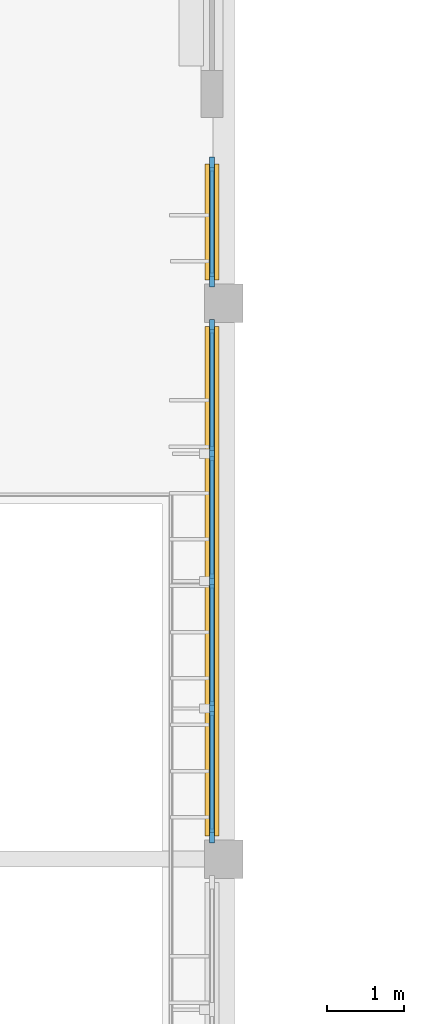
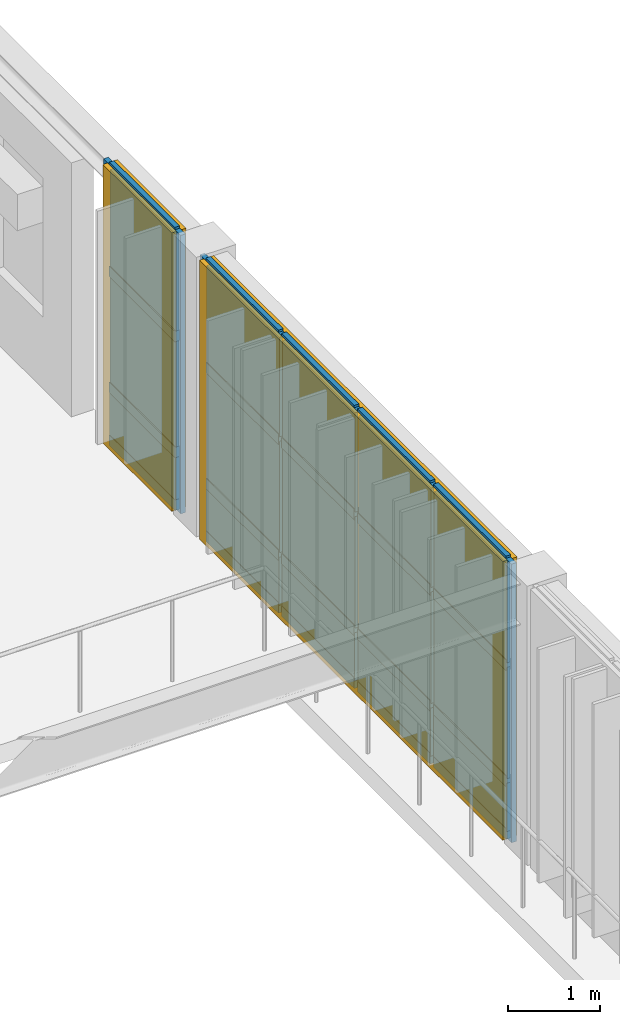
# One storey, part 32 of 44: 27 members, 15 plates, 2 curtain walls.
"""IFC4 building model written with IfcOpenShell, lengths in metres."""

import ifcopenshell
import ifcopenshell.guid

model = None  # the IFC model being written
_history = None  # IfcOwnerHistory: only IFC2X3 demands one
_inside = {}  # id of a spatial element -> (the spatial element, [elements in it])
_under = {}  # id of a project, library or spatial element -> (it, [spatial elements below it])
_declared = {}  # id of a project -> (the project, [libraries it declares])
_typed = {}  # id of a type object -> (the type object, [elements of that type])
_made_of = {}  # id of a material, layer set ... -> (it, [elements and type objects made of it])


def new_model(schema):
    """Start an empty IFC model of exactly this schema.

    Asked for "IFC4X3", IfcOpenShell would pick the latest addendum, in which some entities
    have other attributes; the version numbers below select the first issue.
    IFC2X3 requires an IfcOwnerHistory on every rooted entity: one is made here for all.
    """
    global model, _history
    if schema == "IFC4X3":
        model = ifcopenshell.file(schema_version=(4, 3, 0, 0))
    else:
        model = ifcopenshell.file(schema=schema)
    _inside.clear()
    _under.clear()
    _declared.clear()
    _typed.clear()
    _made_of.clear()
    _history = None
    if model.schema == "IFC2X3":
        org = make("IfcOrganization", Name="unknown")
        user = make(
            "IfcPersonAndOrganization",
            ThePerson=make("IfcPerson", FamilyName="unknown"),
            TheOrganization=org,
        )
        app = make(
            "IfcApplication",
            ApplicationDeveloper=org,
            Version="unknown",
            ApplicationFullName="unknown",
            ApplicationIdentifier="unknown",
        )
        _history = make(
            "IfcOwnerHistory",
            OwningUser=user,
            OwningApplication=app,
            ChangeAction="ADDED",
            CreationDate=0,
        )
    return model


def make(cls, **values):
    """One entity of the class cls with the attributes given. An attribute that is None is left unset."""
    return model.create_entity(
        cls, **{name: value for name, value in values.items() if value is not None}
    )


def rooted(cls, **values):
    """An entity with a GlobalId (a new one), such as an element, a storey or a relation."""
    return make(cls, GlobalId=ifcopenshell.guid.new(), OwnerHistory=_history, **values)


def si_unit(unit_type, name, prefix=None):
    """IfcSIUnit, for example si_unit("LENGTHUNIT", "METRE", prefix="MILLI")."""
    return make("IfcSIUnit", UnitType=unit_type, Prefix=prefix, Name=name)


def assignment(units):
    """IfcUnitAssignment: the units of a project."""
    return None if units is None else make("IfcUnitAssignment", Units=units)


def point(xyz):
    """IfcCartesianPoint."""
    return None if xyz is None else make("IfcCartesianPoint", Coordinates=xyz)


def direction(xyz):
    """IfcDirection."""
    return None if xyz is None else make("IfcDirection", DirectionRatios=xyz)


def frame(location, z_axis=None, x_axis=None):
    """IfcAxis2Placement3D, a coordinate frame: its origin and axes. An axis left out is left unset."""
    return make(
        "IfcAxis2Placement3D",
        Location=point(location),
        Axis=direction(z_axis),
        RefDirection=direction(x_axis),
    )


def frame_2d(location, x_axis=None):
    """IfcAxis2Placement2D, a coordinate frame in the plane: its origin and x axis."""
    return make(
        "IfcAxis2Placement2D", Location=point(location), RefDirection=direction(x_axis)
    )


def origin():
    """The frame at (0, 0, 0) with its axes left unset."""
    return frame((0.0, 0.0, 0.0))


def origin_2d():
    """The frame at (0, 0) in the plane with its x axis left unset."""
    return frame_2d((0.0, 0.0))


def place(relative_to, where):
    """IfcLocalPlacement: puts the frame where relative to a parent placement (None: the world)."""
    return make(
        "IfcLocalPlacement", PlacementRelTo=relative_to, RelativePlacement=where
    )


def context(
    kind, dimensions, precision=None, world=None, true_north=None, identifier=None
):
    """IfcGeometricRepresentationContext, for example the 3D "Model" context."""
    return make(
        "IfcGeometricRepresentationContext",
        ContextIdentifier=identifier,
        ContextType=kind,
        CoordinateSpaceDimension=dimensions,
        Precision=precision,
        WorldCoordinateSystem=world,
        TrueNorth=true_north,
    )


def subcontext(parent, identifier, kind, view, scale=None):
    """IfcGeometricRepresentationSubContext, for example "Body" below "Model"."""
    return make(
        "IfcGeometricRepresentationSubContext",
        ContextIdentifier=identifier,
        ContextType=kind,
        ParentContext=parent,
        TargetScale=scale,
        TargetView=view,
    )


def project(units=None, contexts=None):
    """IfcProject with its units and contexts."""
    return rooted(
        "IfcProject",
        Name="project",
        RepresentationContexts=contexts,
        UnitsInContext=assignment(units),
    )


def spatial(cls, under=None, at=None, **own):
    """A site, building, storey or space (cls), placed at a placement, below another one or the project."""
    s = rooted(cls, ObjectPlacement=at, **own)
    if under is not None:
        _under.setdefault(under.id(), (under, []))[1].append(s)
    return s


def profile(cls, at=None, kind="AREA", **sizes):
    """A parametric profile (cls). Its sizes go by their IFC names, for example OverallWidth=200.0."""
    return make(cls, ProfileType=kind, Position=at, **sizes)


def rectangle(**sizes):
    """IfcRectangleProfileDef."""
    return profile("IfcRectangleProfileDef", **sizes)


def extrude(swept, where, along, depth):
    """IfcExtrudedAreaSolid: the profile swept, set in the frame where, extruded along a direction by depth."""
    return make(
        "IfcExtrudedAreaSolid",
        SweptArea=swept,
        Position=where,
        ExtrudedDirection=direction(along),
        Depth=depth,
    )


def shape(context_of_items, identifier, shape_type, items):
    """IfcShapeRepresentation: the items that make up one representation, for example the "Body"."""
    return make(
        "IfcShapeRepresentation",
        ContextOfItems=context_of_items,
        RepresentationIdentifier=identifier,
        RepresentationType=shape_type,
        Items=items,
    )


def material(Name=None, Category=None):
    """IfcMaterial."""
    return make("IfcMaterial", Name=Name, Category=Category)


def layer(
    of_material, thickness, ventilated=None, Name=None, Category=None, Priority=None
):
    """IfcMaterialLayer: one layer of a wall or slab, of a material (None: an air gap)."""
    return make(
        "IfcMaterialLayer",
        Material=of_material,
        LayerThickness=thickness,
        IsVentilated=ventilated,
        Name=Name,
        Category=Category,
        Priority=Priority,
    )


def layer_set(layers, Name=None):
    """IfcMaterialLayerSet."""
    return make("IfcMaterialLayerSet", MaterialLayers=layers, LayerSetName=Name)


def material_profile(
    of_material, cross_section, Name=None, Category=None, Priority=None
):
    """IfcMaterialProfile: a cross section and its material."""
    return make(
        "IfcMaterialProfile",
        Name=Name,
        Material=of_material,
        Profile=cross_section,
        Priority=Priority,
        Category=Category,
    )


def profile_set(profiles, Name=None, composite=None):
    """IfcMaterialProfileSet."""
    return make(
        "IfcMaterialProfileSet",
        Name=Name,
        MaterialProfiles=profiles,
        CompositeProfile=composite,
    )


def made_of(thing, what):
    """Note that an element or type object is made of a material, layer set ...; save() writes the relation."""
    if what is not None:
        _made_of.setdefault(what.id(), (what, []))[1].append(thing)
    return thing


def type_object(cls, material=None, **own):
    """A type object (cls), such as IfcWallType, which elements share."""
    return made_of(rooted(cls, **own), material)


def element(
    cls,
    number,
    at=None,
    inside=None,
    cuts=None,
    type_object=None,
    material=None,
    context=None,
    identifier="Body",
    shape_type=None,
    held_by="IfcProductDefinitionShape",
    body=None,
    shapes=None,
    **own,
):
    """One element of the class cls, such as IfcWall. Its Tag is "e" and its number.

    at: its placement. inside: the storey or other place that contains it. cuts: it is an
    opening in that element (IfcRelVoidsElement). A single representation is given by context,
    identifier, shape_type and body (its items); several are given by shapes. held_by: the class
    of the entity that holds the representations. save() writes the other relations.
    """
    e = rooted(cls, Tag="e%d" % number, ObjectPlacement=at, **own)
    if body is not None:
        shapes = [shape(context, identifier, shape_type, body)]
    if shapes is not None:
        e.Representation = make(held_by, Representations=shapes)
    if inside is not None:
        _inside.setdefault(inside.id(), (inside, []))[1].append(e)
    if cuts is not None:
        rooted(
            "IfcRelVoidsElement", RelatingBuildingElement=cuts, RelatedOpeningElement=e
        )
    if type_object is not None:
        _typed.setdefault(type_object.id(), (type_object, []))[1].append(e)
    return made_of(e, material)


def aggregate(whole, parts):
    """IfcRelAggregates: a whole, such as a stair, and the parts it consists of."""
    return rooted("IfcRelAggregates", RelatingObject=whole, RelatedObjects=parts)


def save(model, path):
    """Write the relations noted so far, then the file.

    IfcRelAggregates (storeys below a building ...), IfcRelContainedInSpatialStructure (elements
    in a storey), IfcRelDefinesByType, IfcRelAssociatesMaterial and IfcRelDeclares: one each for
    every whole, place, type object, material and project.
    """
    for whole, parts in _under.values():
        aggregate(whole, parts)
    for where, things in _inside.values():
        rooted(
            "IfcRelContainedInSpatialStructure",
            RelatedElements=things,
            RelatingStructure=where,
        )
    for kind, things in _typed.values():
        rooted("IfcRelDefinesByType", RelatedObjects=things, RelatingType=kind)
    for what, things in _made_of.values():
        rooted("IfcRelAssociatesMaterial", RelatedObjects=things, RelatingMaterial=what)
    for by, libraries in _declared.values():
        rooted("IfcRelDeclares", RelatingContext=by, RelatedDefinitions=libraries)
    model.write(path)


model = new_model("IFC4")

# Units and contexts
model_context = context("Model", 3, precision=1e-05, world=origin(), true_north=direction((0.0, 1.0)))
body_context = subcontext(model_context, "Body", "Model", "MODEL_VIEW")
ifc_project = project(units=[si_unit("LENGTHUNIT", "METRE"), si_unit("AREAUNIT", "SQUARE_METRE"), si_unit("VOLUMEUNIT", "CUBIC_METRE"), si_unit("PLANEANGLEUNIT", "RADIAN"), si_unit("MASSUNIT", "GRAM", prefix="KILO")], contexts=[model_context])

# Member
ifc_material_1 = material(Name="Anodised Bronze Aluminium 6063-T6", Category="aluminium")
ifc_material_profile_1 = material_profile(ifc_material_1, rectangle(XDim=0.06005859375, YDim=0.179931640625, at=origin_2d()), Name="ALU MULLION 60x180")
ifc_profile_set_1 = profile_set([ifc_material_profile_1], Name="Anodised Bronze Aluminium 6063-T6")
member_type_1 = type_object("IfcMemberType", Name="Curtain-Wall Primary Mullion 60x180", PredefinedType="MULLION", material=ifc_profile_set_1)
site_placement = place(None, origin())
building_placement = place(site_placement, origin())
storey_placement = place(building_placement, frame((0.0, 0.0, 13.199951171875)))
member_1_placement = place(storey_placement, frame((27.449951171875, 59.300048828125, 0.0), z_axis=(0.0, 0.0, 1.0), x_axis=(1.0, 0.0, 0.0)))
member_1 = element("IfcMember", 1, at=member_1_placement, type_object=member_type_1, Name="Mullion CWM-01 CW-V6-E1-L03-B2-M01", PredefinedType="MULLION", context=body_context, shape_type="SweptSolid", body=[
    extrude(rectangle(XDim=0.06005859375, YDim=0.179931640625, at=origin_2d()), origin(), (0.0, 0.0, 1.0), 3.699951171875),
])

member_2_placement = place(storey_placement, frame((27.449951171875, 60.949951171875, 0.0), z_axis=(0.0, 0.0, 1.0), x_axis=(1.0, 0.0, 0.0)))
member_2 = element("IfcMember", 2, at=member_2_placement, type_object=member_type_1, Name="Mullion CWM-01 CW-V6-E1-L03-B2-M02", PredefinedType="MULLION", context=body_context, shape_type="SweptSolid", body=[
    extrude(rectangle(XDim=0.06005859375, YDim=0.179931640625, at=origin_2d()), origin(), (0.0, 0.0, 1.0), 3.699951171875),
])

member_3_placement = place(storey_placement, frame((27.449951171875, 62.60009765625, 0.0), z_axis=(0.0, 0.0, 1.0), x_axis=(1.0, 0.0, 0.0)))
member_3 = element("IfcMember", 3, at=member_3_placement, type_object=member_type_1, Name="Mullion CWM-01 CW-V6-E1-L03-B2-M03", PredefinedType="MULLION", context=body_context, shape_type="SweptSolid", body=[
    extrude(rectangle(XDim=0.06005859375, YDim=0.179931640625, at=origin_2d()), origin(), (0.0, 0.0, 1.0), 3.699951171875),
])

member_4_placement = place(storey_placement, frame((27.449951171875, 64.25, 0.0), z_axis=(0.0, 0.0, 1.0), x_axis=(1.0, 0.0, 0.0)))
member_4 = element("IfcMember", 4, at=member_4_placement, type_object=member_type_1, Name="Mullion CWM-01 CW-V6-E1-L03-B2-M04", PredefinedType="MULLION", context=body_context, shape_type="SweptSolid", body=[
    extrude(rectangle(XDim=0.06005859375, YDim=0.179931640625, at=origin_2d()), origin(), (0.0, 0.0, 1.0), 3.699951171875),
])

member_5_placement = place(storey_placement, frame((27.449951171875, 65.89990234375, 0.0), z_axis=(0.0, 0.0, 1.0), x_axis=(1.0, 0.0, 0.0)))
member_5 = element("IfcMember", 5, at=member_5_placement, type_object=member_type_1, Name="Mullion CWM-01 CW-V6-E1-L03-B2-M05", PredefinedType="MULLION", context=body_context, shape_type="SweptSolid", body=[
    extrude(rectangle(XDim=0.06005859375, YDim=0.179931640625, at=origin_2d()), origin(), (0.0, 0.0, 1.0), 3.699951171875),
])

member_6_placement = place(storey_placement, frame((27.449951171875, 66.5, 0.0), z_axis=(0.0, 0.0, 1.0), x_axis=(1.0, 0.0, 0.0)))
member_6 = element("IfcMember", 6, at=member_6_placement, type_object=member_type_1, Name="Mullion CWM-01 CW-V6-E1-L03-B3-M01", PredefinedType="MULLION", context=body_context, shape_type="SweptSolid", body=[
    extrude(rectangle(XDim=0.06005859375, YDim=0.179931640625, at=origin_2d()), origin(), (0.0, 0.0, 1.0), 3.699951171875),
])

member_7_placement = place(storey_placement, frame((27.449951171875, 68.0, 0.0), z_axis=(0.0, 0.0, 1.0), x_axis=(1.0, 0.0, 0.0)))
member_7 = element("IfcMember", 7, at=member_7_placement, type_object=member_type_1, Name="Mullion CWM-01 CW-V6-E1-L03-B3-M02", PredefinedType="MULLION", context=body_context, shape_type="SweptSolid", body=[
    extrude(rectangle(XDim=0.06005859375, YDim=0.179931640625, at=origin_2d()), origin(), (0.0, 0.0, 1.0), 3.699951171875),
])

ifc_material_profile_2 = material_profile(ifc_material_1, rectangle(XDim=0.06005859375, YDim=0.139892578125, at=origin_2d()), Name="ALU TRANSOM 60x140")
ifc_profile_set_2 = profile_set([ifc_material_profile_2], Name="Anodised Bronze Aluminium 6063-T6")
member_type_2 = type_object("IfcMemberType", Name="Curtain-Wall Transom 60x140", PredefinedType="USERDEFINED", material=ifc_profile_set_2)
member_8_placement = place(storey_placement, frame((27.449951171875, 59.3349609375, 0.0400390625), z_axis=(0.0, 1.0, 0.0), x_axis=(-1.0, 0.0, 0.0)))
member_8 = element("IfcMember", 8, at=member_8_placement, type_object=member_type_2, Name="Transom CWT-01 CW-V6-E1-L03-B2-T01.1", ObjectType="TRANSOM", PredefinedType="USERDEFINED", context=body_context, shape_type="SweptSolid", body=[
    extrude(rectangle(XDim=0.06005859375, YDim=0.139892578125, at=origin_2d()), origin(), (0.0, 0.0, 1.0), 1.580078125),
])

member_9_placement = place(storey_placement, frame((27.449951171875, 59.3349609375, 0.739990234375), z_axis=(0.0, 1.0, 0.0), x_axis=(-1.0, 0.0, 0.0)))
member_9 = element("IfcMember", 9, at=member_9_placement, type_object=member_type_2, Name="Transom CWT-01 CW-V6-E1-L03-B2-T01.2", ObjectType="TRANSOM", PredefinedType="USERDEFINED", context=body_context, shape_type="SweptSolid", body=[
    extrude(rectangle(XDim=0.06005859375, YDim=0.139892578125, at=origin_2d()), origin(), (0.0, 0.0, 1.0), 1.580078125),
])

member_10_placement = place(storey_placement, frame((27.449951171875, 59.3349609375, 2.279296875), z_axis=(0.0, 1.0, 0.0), x_axis=(-1.0, 0.0, 0.0)))
member_10 = element("IfcMember", 10, at=member_10_placement, type_object=member_type_2, Name="Transom CWT-01 CW-V6-E1-L03-B2-T01.3", ObjectType="TRANSOM", PredefinedType="USERDEFINED", context=body_context, shape_type="SweptSolid", body=[
    extrude(rectangle(XDim=0.06005859375, YDim=0.139892578125, at=origin_2d()), origin(), (0.0, 0.0, 1.0), 1.580078125),
])

member_11_placement = place(storey_placement, frame((27.449951171875, 59.3349609375, 3.66015625), z_axis=(0.0, 1.0, 0.0), x_axis=(-1.0, 0.0, 0.0)))
member_11 = element("IfcMember", 11, at=member_11_placement, type_object=member_type_2, Name="Transom CWT-01 CW-V6-E1-L03-B2-T01.4", ObjectType="TRANSOM", PredefinedType="USERDEFINED", context=body_context, shape_type="SweptSolid", body=[
    extrude(rectangle(XDim=0.06005859375, YDim=0.139892578125, at=origin_2d()), origin(), (0.0, 0.0, 1.0), 1.580078125),
])

member_12_placement = place(storey_placement, frame((27.449951171875, 60.985107421875, 0.0400390625), z_axis=(0.0, 1.0, 0.0), x_axis=(-1.0, 0.0, 0.0)))
member_12 = element("IfcMember", 12, at=member_12_placement, type_object=member_type_2, Name="Transom CWT-01 CW-V6-E1-L03-B2-T02.1", ObjectType="TRANSOM", PredefinedType="USERDEFINED", context=body_context, shape_type="SweptSolid", body=[
    extrude(rectangle(XDim=0.06005859375, YDim=0.139892578125, at=origin_2d()), origin(), (0.0, 0.0, 1.0), 1.579833984375),
])

member_13_placement = place(storey_placement, frame((27.449951171875, 60.985107421875, 0.739990234375), z_axis=(0.0, 1.0, 0.0), x_axis=(-1.0, 0.0, 0.0)))
member_13 = element("IfcMember", 13, at=member_13_placement, type_object=member_type_2, Name="Transom CWT-01 CW-V6-E1-L03-B2-T02.2", ObjectType="TRANSOM", PredefinedType="USERDEFINED", context=body_context, shape_type="SweptSolid", body=[
    extrude(rectangle(XDim=0.06005859375, YDim=0.139892578125, at=origin_2d()), origin(), (0.0, 0.0, 1.0), 1.579833984375),
])

member_14_placement = place(storey_placement, frame((27.449951171875, 60.985107421875, 2.279296875), z_axis=(0.0, 1.0, 0.0), x_axis=(-1.0, 0.0, 0.0)))
member_14 = element("IfcMember", 14, at=member_14_placement, type_object=member_type_2, Name="Transom CWT-01 CW-V6-E1-L03-B2-T02.3", ObjectType="TRANSOM", PredefinedType="USERDEFINED", context=body_context, shape_type="SweptSolid", body=[
    extrude(rectangle(XDim=0.06005859375, YDim=0.139892578125, at=origin_2d()), origin(), (0.0, 0.0, 1.0), 1.579833984375),
])

member_15_placement = place(storey_placement, frame((27.449951171875, 60.985107421875, 3.66015625), z_axis=(0.0, 1.0, 0.0), x_axis=(-1.0, 0.0, 0.0)))
member_15 = element("IfcMember", 15, at=member_15_placement, type_object=member_type_2, Name="Transom CWT-01 CW-V6-E1-L03-B2-T02.4", ObjectType="TRANSOM", PredefinedType="USERDEFINED", context=body_context, shape_type="SweptSolid", body=[
    extrude(rectangle(XDim=0.06005859375, YDim=0.139892578125, at=origin_2d()), origin(), (0.0, 0.0, 1.0), 1.579833984375),
])

member_16_placement = place(storey_placement, frame((27.449951171875, 62.635009765625, 0.0400390625), z_axis=(0.0, 1.0, 0.0), x_axis=(-1.0, 0.0, 0.0)))
member_16 = element("IfcMember", 16, at=member_16_placement, type_object=member_type_2, Name="Transom CWT-01 CW-V6-E1-L03-B2-T03.1", ObjectType="TRANSOM", PredefinedType="USERDEFINED", context=body_context, shape_type="SweptSolid", body=[
    extrude(rectangle(XDim=0.06005859375, YDim=0.139892578125, at=origin_2d()), origin(), (0.0, 0.0, 1.0), 1.580078125),
])

member_17_placement = place(storey_placement, frame((27.449951171875, 62.635009765625, 0.739990234375), z_axis=(0.0, 1.0, 0.0), x_axis=(-1.0, 0.0, 0.0)))
member_17 = element("IfcMember", 17, at=member_17_placement, type_object=member_type_2, Name="Transom CWT-01 CW-V6-E1-L03-B2-T03.2", ObjectType="TRANSOM", PredefinedType="USERDEFINED", context=body_context, shape_type="SweptSolid", body=[
    extrude(rectangle(XDim=0.06005859375, YDim=0.139892578125, at=origin_2d()), origin(), (0.0, 0.0, 1.0), 1.580078125),
])

member_18_placement = place(storey_placement, frame((27.449951171875, 62.635009765625, 2.279296875), z_axis=(0.0, 1.0, 0.0), x_axis=(-1.0, 0.0, 0.0)))
member_18 = element("IfcMember", 18, at=member_18_placement, type_object=member_type_2, Name="Transom CWT-01 CW-V6-E1-L03-B2-T03.3", ObjectType="TRANSOM", PredefinedType="USERDEFINED", context=body_context, shape_type="SweptSolid", body=[
    extrude(rectangle(XDim=0.06005859375, YDim=0.139892578125, at=origin_2d()), origin(), (0.0, 0.0, 1.0), 1.580078125),
])

member_19_placement = place(storey_placement, frame((27.449951171875, 62.635009765625, 3.66015625), z_axis=(0.0, 1.0, 0.0), x_axis=(-1.0, 0.0, 0.0)))
member_19 = element("IfcMember", 19, at=member_19_placement, type_object=member_type_2, Name="Transom CWT-01 CW-V6-E1-L03-B2-T03.4", ObjectType="TRANSOM", PredefinedType="USERDEFINED", context=body_context, shape_type="SweptSolid", body=[
    extrude(rectangle(XDim=0.06005859375, YDim=0.139892578125, at=origin_2d()), origin(), (0.0, 0.0, 1.0), 1.580078125),
])

member_20_placement = place(storey_placement, frame((27.449951171875, 64.284912109375, 0.0400390625), z_axis=(0.0, 1.0, 0.0), x_axis=(-1.0, 0.0, 0.0)))
member_20 = element("IfcMember", 20, at=member_20_placement, type_object=member_type_2, Name="Transom CWT-01 CW-V6-E1-L03-B2-T04.1", ObjectType="TRANSOM", PredefinedType="USERDEFINED", context=body_context, shape_type="SweptSolid", body=[
    extrude(rectangle(XDim=0.06005859375, YDim=0.139892578125, at=origin_2d()), origin(), (0.0, 0.0, 1.0), 1.580078125),
])

member_21_placement = place(storey_placement, frame((27.449951171875, 64.284912109375, 0.739990234375), z_axis=(0.0, 1.0, 0.0), x_axis=(-1.0, 0.0, 0.0)))
member_21 = element("IfcMember", 21, at=member_21_placement, type_object=member_type_2, Name="Transom CWT-01 CW-V6-E1-L03-B2-T04.2", ObjectType="TRANSOM", PredefinedType="USERDEFINED", context=body_context, shape_type="SweptSolid", body=[
    extrude(rectangle(XDim=0.06005859375, YDim=0.139892578125, at=origin_2d()), origin(), (0.0, 0.0, 1.0), 1.580078125),
])

member_22_placement = place(storey_placement, frame((27.449951171875, 64.284912109375, 2.279296875), z_axis=(0.0, 1.0, 0.0), x_axis=(-1.0, 0.0, 0.0)))
member_22 = element("IfcMember", 22, at=member_22_placement, type_object=member_type_2, Name="Transom CWT-01 CW-V6-E1-L03-B2-T04.3", ObjectType="TRANSOM", PredefinedType="USERDEFINED", context=body_context, shape_type="SweptSolid", body=[
    extrude(rectangle(XDim=0.06005859375, YDim=0.139892578125, at=origin_2d()), origin(), (0.0, 0.0, 1.0), 1.580078125),
])

member_23_placement = place(storey_placement, frame((27.449951171875, 64.284912109375, 3.66015625), z_axis=(0.0, 1.0, 0.0), x_axis=(-1.0, 0.0, 0.0)))
member_23 = element("IfcMember", 23, at=member_23_placement, type_object=member_type_2, Name="Transom CWT-01 CW-V6-E1-L03-B2-T04.4", ObjectType="TRANSOM", PredefinedType="USERDEFINED", context=body_context, shape_type="SweptSolid", body=[
    extrude(rectangle(XDim=0.06005859375, YDim=0.139892578125, at=origin_2d()), origin(), (0.0, 0.0, 1.0), 1.580078125),
])

member_24_placement = place(storey_placement, frame((27.449951171875, 66.534912109375, 0.0400390625), z_axis=(0.0, 1.0, 0.0), x_axis=(-1.0, 0.0, 0.0)))
member_24 = element("IfcMember", 24, at=member_24_placement, type_object=member_type_2, Name="Transom CWT-01 CW-V6-E1-L03-B3-T01.1", ObjectType="TRANSOM", PredefinedType="USERDEFINED", context=body_context, shape_type="SweptSolid", body=[
    extrude(rectangle(XDim=0.06005859375, YDim=0.139892578125, at=origin_2d()), origin(), (0.0, 0.0, 1.0), 1.43017578125),
])

member_25_placement = place(storey_placement, frame((27.449951171875, 66.534912109375, 0.739990234375), z_axis=(0.0, 1.0, 0.0), x_axis=(-1.0, 0.0, 0.0)))
member_25 = element("IfcMember", 25, at=member_25_placement, type_object=member_type_2, Name="Transom CWT-01 CW-V6-E1-L03-B3-T01.2", ObjectType="TRANSOM", PredefinedType="USERDEFINED", context=body_context, shape_type="SweptSolid", body=[
    extrude(rectangle(XDim=0.06005859375, YDim=0.139892578125, at=origin_2d()), origin(), (0.0, 0.0, 1.0), 1.43017578125),
])

member_26_placement = place(storey_placement, frame((27.449951171875, 66.534912109375, 2.279296875), z_axis=(0.0, 1.0, 0.0), x_axis=(-1.0, 0.0, 0.0)))
member_26 = element("IfcMember", 26, at=member_26_placement, type_object=member_type_2, Name="Transom CWT-01 CW-V6-E1-L03-B3-T01.3", ObjectType="TRANSOM", PredefinedType="USERDEFINED", context=body_context, shape_type="SweptSolid", body=[
    extrude(rectangle(XDim=0.06005859375, YDim=0.139892578125, at=origin_2d()), origin(), (0.0, 0.0, 1.0), 1.43017578125),
])

member_27_placement = place(storey_placement, frame((27.449951171875, 66.534912109375, 3.66015625), z_axis=(0.0, 1.0, 0.0), x_axis=(-1.0, 0.0, 0.0)))
member_27 = element("IfcMember", 27, at=member_27_placement, type_object=member_type_2, Name="Transom CWT-01 CW-V6-E1-L03-B3-T01.4", ObjectType="TRANSOM", PredefinedType="USERDEFINED", context=body_context, shape_type="SweptSolid", body=[
    extrude(rectangle(XDim=0.06005859375, YDim=0.139892578125, at=origin_2d()), origin(), (0.0, 0.0, 1.0), 1.43017578125),
])

# Plate
ifc_material_2 = material(Name="Insulated Bronze Aluminium Spandrel Panel", Category="aluminium")
ifc_layer_1 = layer(ifc_material_2, 0.050048828125, Name="Insulated Bronze Aluminium Spandrel Panel")
ifc_layer_set_1 = layer_set([ifc_layer_1], Name="Insulated Bronze Aluminium Spandrel Panel")
plate_type_1 = type_object("IfcPlateType", Name="Insulated Anodised Aluminium Spandrel Cassette 50", PredefinedType="CURTAIN_PANEL", material=ifc_layer_set_1)
plate_1_placement = place(storey_placement, frame((27.449951171875, 60.125, 0.0703125), z_axis=(0.0, 0.0, 1.0), x_axis=(0.0, 1.0, 0.0)))
plate_1 = element("IfcPlate", 28, at=plate_1_placement, type_object=plate_type_1, Name="Curtain Panel CWP-03 CW-V6-E1-L03-B2-P01.1", PredefinedType="CURTAIN_PANEL", context=body_context, shape_type="SweptSolid", body=[
    extrude(rectangle(XDim=1.580078125, YDim=0.050048828125, at=origin_2d()), origin(), (0.0, 0.0, 1.0), 0.639892578125),
])

plate_2_placement = place(storey_placement, frame((27.449951171875, 61.77490234375, 0.0703125), z_axis=(0.0, 0.0, 1.0), x_axis=(0.0, 1.0, 0.0)))
plate_2 = element("IfcPlate", 29, at=plate_2_placement, type_object=plate_type_1, Name="Curtain Panel CWP-03 CW-V6-E1-L03-B2-P02.1", PredefinedType="CURTAIN_PANEL", context=body_context, shape_type="SweptSolid", body=[
    extrude(rectangle(XDim=1.580078125, YDim=0.050048828125, at=origin_2d()), origin(), (0.0, 0.0, 1.0), 0.639892578125),
])

plate_3_placement = place(storey_placement, frame((27.449951171875, 63.425048828125, 0.0703125), z_axis=(0.0, 0.0, 1.0), x_axis=(0.0, 1.0, 0.0)))
plate_3 = element("IfcPlate", 30, at=plate_3_placement, type_object=plate_type_1, Name="Curtain Panel CWP-03 CW-V6-E1-L03-B2-P03.1", PredefinedType="CURTAIN_PANEL", context=body_context, shape_type="SweptSolid", body=[
    extrude(rectangle(XDim=1.580078125, YDim=0.050048828125, at=origin_2d()), origin(), (0.0, 0.0, 1.0), 0.639892578125),
])

plate_4_placement = place(storey_placement, frame((27.449951171875, 65.074951171875, 0.0703125), z_axis=(0.0, 0.0, 1.0), x_axis=(0.0, 1.0, 0.0)))
plate_4 = element("IfcPlate", 31, at=plate_4_placement, type_object=plate_type_1, Name="Curtain Panel CWP-03 CW-V6-E1-L03-B2-P04.1", PredefinedType="CURTAIN_PANEL", context=body_context, shape_type="SweptSolid", body=[
    extrude(rectangle(XDim=1.580078125, YDim=0.050048828125, at=origin_2d()), origin(), (0.0, 0.0, 1.0), 0.639892578125),
])

plate_5_placement = place(storey_placement, frame((27.449951171875, 67.25, 0.0703125), z_axis=(0.0, 0.0, 1.0), x_axis=(0.0, 1.0, 0.0)))
plate_5 = element("IfcPlate", 32, at=plate_5_placement, type_object=plate_type_1, Name="Curtain Panel CWP-03 CW-V6-E1-L03-B3-P01.1", PredefinedType="CURTAIN_PANEL", context=body_context, shape_type="SweptSolid", body=[
    extrude(rectangle(XDim=1.429931640625, YDim=0.050048828125, at=origin_2d()), origin(), (0.0, 0.0, 1.0), 0.639892578125),
])

ifc_material_3 = material(Name="Solar-Control Tempered Double Glazing", Category="glass")
ifc_layer_2 = layer(ifc_material_3, 0.0380859375, Name="Solar-Control Tempered Double Glazing")
ifc_layer_set_2 = layer_set([ifc_layer_2], Name="Solar-Control Tempered Double Glazing")
plate_type_2 = type_object("IfcPlateType", Name="Solar-Control Vision Glazing Unit 38", PredefinedType="CURTAIN_PANEL", material=ifc_layer_set_2)
plate_6_placement = place(storey_placement, frame((27.449951171875, 60.125, 0.77001953125), z_axis=(0.0, 0.0, 1.0), x_axis=(0.0, 1.0, 0.0)))
plate_6 = element("IfcPlate", 33, at=plate_6_placement, type_object=plate_type_2, Name="Curtain Panel CWP-02 CW-V6-E1-L03-B2-P01.2", PredefinedType="CURTAIN_PANEL", context=body_context, shape_type="SweptSolid", body=[
    extrude(rectangle(XDim=1.580078125, YDim=0.0380859375, at=origin_2d()), origin(), (0.0, 0.0, 1.0), 1.479248046875),
])

plate_7_placement = place(storey_placement, frame((27.449951171875, 60.125, 2.309326171875), z_axis=(0.0, 0.0, 1.0), x_axis=(0.0, 1.0, 0.0)))
plate_7 = element("IfcPlate", 34, at=plate_7_placement, type_object=plate_type_2, Name="Curtain Panel CWP-02 CW-V6-E1-L03-B2-P01.3", PredefinedType="CURTAIN_PANEL", context=body_context, shape_type="SweptSolid", body=[
    extrude(rectangle(XDim=1.580078125, YDim=0.0380859375, at=origin_2d()), origin(), (0.0, 0.0, 1.0), 1.32080078125),
])

plate_8_placement = place(storey_placement, frame((27.449951171875, 61.77490234375, 0.77001953125), z_axis=(0.0, 0.0, 1.0), x_axis=(0.0, 1.0, 0.0)))
plate_8 = element("IfcPlate", 35, at=plate_8_placement, type_object=plate_type_2, Name="Curtain Panel CWP-02 CW-V6-E1-L03-B2-P02.2", PredefinedType="CURTAIN_PANEL", context=body_context, shape_type="SweptSolid", body=[
    extrude(rectangle(XDim=1.580078125, YDim=0.0380859375, at=origin_2d()), origin(), (0.0, 0.0, 1.0), 1.479248046875),
])

plate_9_placement = place(storey_placement, frame((27.449951171875, 61.77490234375, 2.309326171875), z_axis=(0.0, 0.0, 1.0), x_axis=(0.0, 1.0, 0.0)))
plate_9 = element("IfcPlate", 36, at=plate_9_placement, type_object=plate_type_2, Name="Curtain Panel CWP-02 CW-V6-E1-L03-B2-P02.3", PredefinedType="CURTAIN_PANEL", context=body_context, shape_type="SweptSolid", body=[
    extrude(rectangle(XDim=1.580078125, YDim=0.0380859375, at=origin_2d()), origin(), (0.0, 0.0, 1.0), 1.32080078125),
])

plate_10_placement = place(storey_placement, frame((27.449951171875, 63.425048828125, 0.77001953125), z_axis=(0.0, 0.0, 1.0), x_axis=(0.0, 1.0, 0.0)))
plate_10 = element("IfcPlate", 37, at=plate_10_placement, type_object=plate_type_2, Name="Curtain Panel CWP-02 CW-V6-E1-L03-B2-P03.2", PredefinedType="CURTAIN_PANEL", context=body_context, shape_type="SweptSolid", body=[
    extrude(rectangle(XDim=1.580078125, YDim=0.0380859375, at=origin_2d()), origin(), (0.0, 0.0, 1.0), 1.479248046875),
])

plate_11_placement = place(storey_placement, frame((27.449951171875, 63.425048828125, 2.309326171875), z_axis=(0.0, 0.0, 1.0), x_axis=(0.0, 1.0, 0.0)))
plate_11 = element("IfcPlate", 38, at=plate_11_placement, type_object=plate_type_2, Name="Curtain Panel CWP-02 CW-V6-E1-L03-B2-P03.3", PredefinedType="CURTAIN_PANEL", context=body_context, shape_type="SweptSolid", body=[
    extrude(rectangle(XDim=1.580078125, YDim=0.0380859375, at=origin_2d()), origin(), (0.0, 0.0, 1.0), 1.32080078125),
])

plate_12_placement = place(storey_placement, frame((27.449951171875, 65.074951171875, 0.77001953125), z_axis=(0.0, 0.0, 1.0), x_axis=(0.0, 1.0, 0.0)))
plate_12 = element("IfcPlate", 39, at=plate_12_placement, type_object=plate_type_2, Name="Curtain Panel CWP-02 CW-V6-E1-L03-B2-P04.2", PredefinedType="CURTAIN_PANEL", context=body_context, shape_type="SweptSolid", body=[
    extrude(rectangle(XDim=1.580078125, YDim=0.0380859375, at=origin_2d()), origin(), (0.0, 0.0, 1.0), 1.479248046875),
])

plate_13_placement = place(storey_placement, frame((27.449951171875, 65.074951171875, 2.309326171875), z_axis=(0.0, 0.0, 1.0), x_axis=(0.0, 1.0, 0.0)))
plate_13 = element("IfcPlate", 40, at=plate_13_placement, type_object=plate_type_2, Name="Curtain Panel CWP-02 CW-V6-E1-L03-B2-P04.3", PredefinedType="CURTAIN_PANEL", context=body_context, shape_type="SweptSolid", body=[
    extrude(rectangle(XDim=1.580078125, YDim=0.0380859375, at=origin_2d()), origin(), (0.0, 0.0, 1.0), 1.32080078125),
])

plate_14_placement = place(storey_placement, frame((27.449951171875, 67.25, 0.77001953125), z_axis=(0.0, 0.0, 1.0), x_axis=(0.0, 1.0, 0.0)))
plate_14 = element("IfcPlate", 41, at=plate_14_placement, type_object=plate_type_2, Name="Curtain Panel CWP-02 CW-V6-E1-L03-B3-P01.2", PredefinedType="CURTAIN_PANEL", context=body_context, shape_type="SweptSolid", body=[
    extrude(rectangle(XDim=1.429931640625, YDim=0.0380859375, at=origin_2d()), origin(), (0.0, 0.0, 1.0), 1.479248046875),
])

plate_15_placement = place(storey_placement, frame((27.449951171875, 67.25, 2.309326171875), z_axis=(0.0, 0.0, 1.0), x_axis=(0.0, 1.0, 0.0)))
plate_15 = element("IfcPlate", 42, at=plate_15_placement, type_object=plate_type_2, Name="Curtain Panel CWP-02 CW-V6-E1-L03-B3-P01.3", PredefinedType="CURTAIN_PANEL", context=body_context, shape_type="SweptSolid", body=[
    extrude(rectangle(XDim=1.429931640625, YDim=0.0380859375, at=origin_2d()), origin(), (0.0, 0.0, 1.0), 1.32080078125),
])

# Site, building, storey
site = spatial("IfcSite", under=ifc_project, at=site_placement, CompositionType="ELEMENT")
building = spatial("IfcBuilding", under=site, at=building_placement, Name="Tazoul Stagehouse", CompositionType="ELEMENT")
storey = spatial("IfcBuildingStorey", under=building, at=storey_placement, Name="L03", CompositionType="ELEMENT", Elevation=13.199951171875)

# Curtain wall
curtain_wall_type = type_object("IfcCurtainWallType", Name="Foyer Clear Solar-Control Curtain Wall", PredefinedType="NOTDEFINED", material=ifc_material_1)
curtain_wall_1_placement = place(storey_placement, frame((27.449951171875, 59.300048828125, 0.0), z_axis=(0.0, 0.0, 1.0), x_axis=(0.0, 1.0, 0.0)))
curtain_wall_1 = element("IfcCurtainWall", 43, at=curtain_wall_1_placement, inside=storey, type_object=curtain_wall_type, Name="L03 Curtain Wall CW-02 (CW-V6-E1-L03-B2)", PredefinedType="NOTDEFINED", context=body_context, shape_type="SweptSolid", body=[
    extrude(rectangle(XDim=6.599853515625, YDim=0.179931640625, at=frame_2d((3.2998046875, 0.0))), origin(), (0.0, 0.0, 1.0), 3.699951171875),
])

aggregate(curtain_wall_1, [member_1, member_2, member_3, member_4, member_5, member_8, member_9, member_10, member_11, plate_1, plate_6, plate_7, member_12, member_13, member_14, member_15, plate_2, plate_8, plate_9, member_16, member_17, member_18, member_19, plate_3, plate_10, plate_11, member_20, member_21, member_22, member_23, plate_4, plate_12, plate_13])

curtain_wall_2_placement = place(storey_placement, frame((27.449951171875, 66.5, 0.0), z_axis=(0.0, 0.0, 1.0), x_axis=(0.0, 1.0, 0.0)))
curtain_wall_2 = element("IfcCurtainWall", 44, at=curtain_wall_2_placement, inside=storey, type_object=curtain_wall_type, Name="L03 Curtain Wall CW-02 (CW-V6-E1-L03-B3)", PredefinedType="NOTDEFINED", context=body_context, shape_type="SweptSolid", body=[
    extrude(rectangle(XDim=1.5, YDim=0.179931640625, at=frame_2d((0.75, 0.0))), origin(), (0.0, 0.0, 1.0), 3.699951171875),
])

aggregate(curtain_wall_2, [member_6, member_7, member_24, member_25, member_26, member_27, plate_5, plate_14, plate_15])

save(model, "model.ifc")
